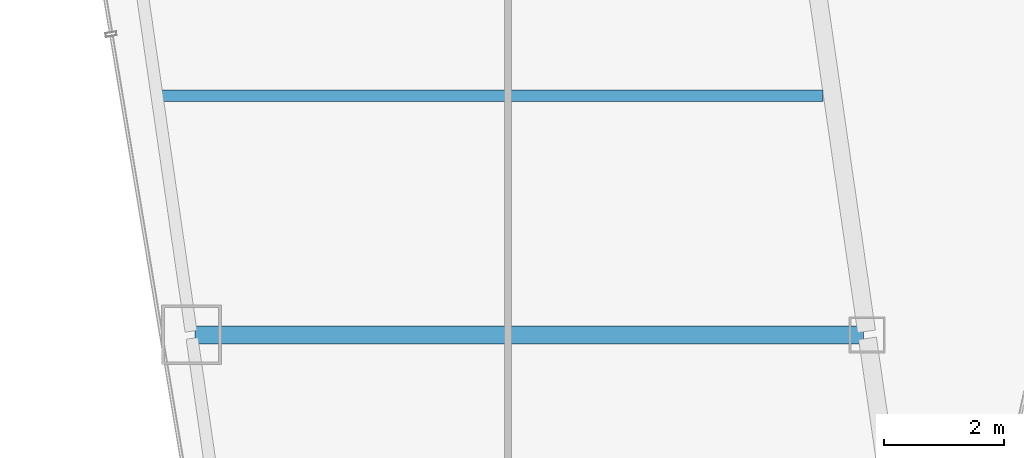
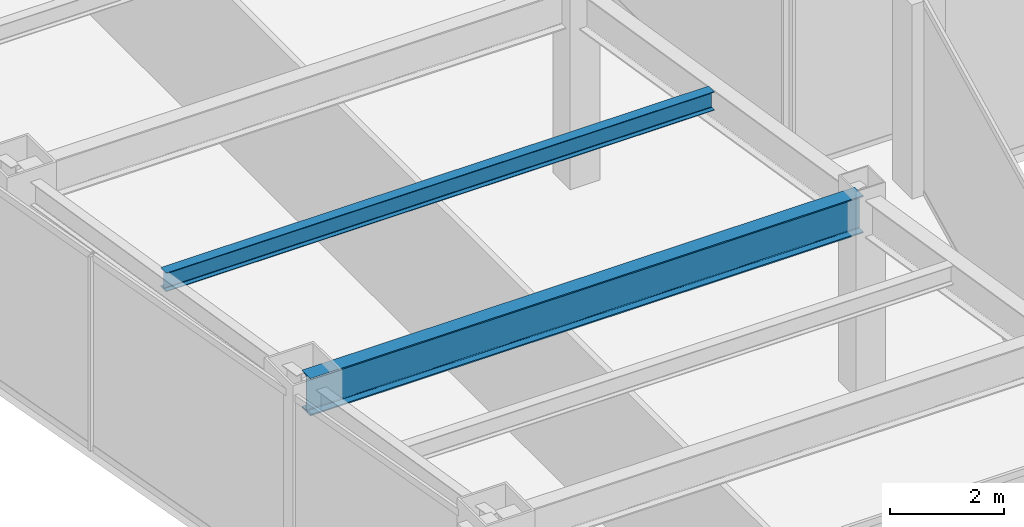
# One storey, part 4 of 37: 2 beams.
"""IFC4 building model written with IfcOpenShell, lengths in metres."""

import ifcopenshell
import ifcopenshell.guid

model = None  # the IFC model being written
_history = None  # IfcOwnerHistory: only IFC2X3 demands one
_inside = {}  # id of a spatial element -> (the spatial element, [elements in it])
_under = {}  # id of a project, library or spatial element -> (it, [spatial elements below it])
_declared = {}  # id of a project -> (the project, [libraries it declares])
_typed = {}  # id of a type object -> (the type object, [elements of that type])
_made_of = {}  # id of a material, layer set ... -> (it, [elements and type objects made of it])


def new_model(schema):
    """Start an empty IFC model of exactly this schema.

    Asked for "IFC4X3", IfcOpenShell would pick the latest addendum, in which some entities
    have other attributes; the version numbers below select the first issue.
    IFC2X3 requires an IfcOwnerHistory on every rooted entity: one is made here for all.
    """
    global model, _history
    if schema == "IFC4X3":
        model = ifcopenshell.file(schema_version=(4, 3, 0, 0))
    else:
        model = ifcopenshell.file(schema=schema)
    _inside.clear()
    _under.clear()
    _declared.clear()
    _typed.clear()
    _made_of.clear()
    _history = None
    if model.schema == "IFC2X3":
        org = make("IfcOrganization", Name="unknown")
        user = make(
            "IfcPersonAndOrganization",
            ThePerson=make("IfcPerson", FamilyName="unknown"),
            TheOrganization=org,
        )
        app = make(
            "IfcApplication",
            ApplicationDeveloper=org,
            Version="unknown",
            ApplicationFullName="unknown",
            ApplicationIdentifier="unknown",
        )
        _history = make(
            "IfcOwnerHistory",
            OwningUser=user,
            OwningApplication=app,
            ChangeAction="ADDED",
            CreationDate=0,
        )
    return model


def make(cls, **values):
    """One entity of the class cls with the attributes given. An attribute that is None is left unset."""
    return model.create_entity(
        cls, **{name: value for name, value in values.items() if value is not None}
    )


def rooted(cls, **values):
    """An entity with a GlobalId (a new one), such as an element, a storey or a relation."""
    return make(cls, GlobalId=ifcopenshell.guid.new(), OwnerHistory=_history, **values)


def si_unit(unit_type, name, prefix=None):
    """IfcSIUnit, for example si_unit("LENGTHUNIT", "METRE", prefix="MILLI")."""
    return make("IfcSIUnit", UnitType=unit_type, Prefix=prefix, Name=name)


def assignment(units):
    """IfcUnitAssignment: the units of a project."""
    return None if units is None else make("IfcUnitAssignment", Units=units)


def point(xyz):
    """IfcCartesianPoint."""
    return None if xyz is None else make("IfcCartesianPoint", Coordinates=xyz)


def direction(xyz):
    """IfcDirection."""
    return None if xyz is None else make("IfcDirection", DirectionRatios=xyz)


def frame(location, z_axis=None, x_axis=None):
    """IfcAxis2Placement3D, a coordinate frame: its origin and axes. An axis left out is left unset."""
    return make(
        "IfcAxis2Placement3D",
        Location=point(location),
        Axis=direction(z_axis),
        RefDirection=direction(x_axis),
    )


def frame_2d(location, x_axis=None):
    """IfcAxis2Placement2D, a coordinate frame in the plane: its origin and x axis."""
    return make(
        "IfcAxis2Placement2D", Location=point(location), RefDirection=direction(x_axis)
    )


def origin():
    """The frame at (0, 0, 0) with its axes left unset."""
    return frame((0.0, 0.0, 0.0))


def origin_2d():
    """The frame at (0, 0) in the plane with its x axis left unset."""
    return frame_2d((0.0, 0.0))


def place(relative_to, where):
    """IfcLocalPlacement: puts the frame where relative to a parent placement (None: the world)."""
    return make(
        "IfcLocalPlacement", PlacementRelTo=relative_to, RelativePlacement=where
    )


def context(
    kind, dimensions, precision=None, world=None, true_north=None, identifier=None
):
    """IfcGeometricRepresentationContext, for example the 3D "Model" context."""
    return make(
        "IfcGeometricRepresentationContext",
        ContextIdentifier=identifier,
        ContextType=kind,
        CoordinateSpaceDimension=dimensions,
        Precision=precision,
        WorldCoordinateSystem=world,
        TrueNorth=true_north,
    )


def subcontext(parent, identifier, kind, view, scale=None):
    """IfcGeometricRepresentationSubContext, for example "Body" below "Model"."""
    return make(
        "IfcGeometricRepresentationSubContext",
        ContextIdentifier=identifier,
        ContextType=kind,
        ParentContext=parent,
        TargetScale=scale,
        TargetView=view,
    )


def project(units=None, contexts=None):
    """IfcProject with its units and contexts."""
    return rooted(
        "IfcProject",
        Name="project",
        RepresentationContexts=contexts,
        UnitsInContext=assignment(units),
    )


def spatial(cls, under=None, at=None, **own):
    """A site, building, storey or space (cls), placed at a placement, below another one or the project."""
    s = rooted(cls, ObjectPlacement=at, **own)
    if under is not None:
        _under.setdefault(under.id(), (under, []))[1].append(s)
    return s


def profile(cls, at=None, kind="AREA", **sizes):
    """A parametric profile (cls). Its sizes go by their IFC names, for example OverallWidth=200.0."""
    return make(cls, ProfileType=kind, Position=at, **sizes)


def i_section(**sizes):
    """IfcIShapeProfileDef."""
    return profile("IfcIShapeProfileDef", **sizes)


def extrude(swept, where, along, depth):
    """IfcExtrudedAreaSolid: the profile swept, set in the frame where, extruded along a direction by depth."""
    return make(
        "IfcExtrudedAreaSolid",
        SweptArea=swept,
        Position=where,
        ExtrudedDirection=direction(along),
        Depth=depth,
    )


def shape(context_of_items, identifier, shape_type, items):
    """IfcShapeRepresentation: the items that make up one representation, for example the "Body"."""
    return make(
        "IfcShapeRepresentation",
        ContextOfItems=context_of_items,
        RepresentationIdentifier=identifier,
        RepresentationType=shape_type,
        Items=items,
    )


def material(Name=None, Category=None):
    """IfcMaterial."""
    return make("IfcMaterial", Name=Name, Category=Category)


def material_profile(
    of_material, cross_section, Name=None, Category=None, Priority=None
):
    """IfcMaterialProfile: a cross section and its material."""
    return make(
        "IfcMaterialProfile",
        Name=Name,
        Material=of_material,
        Profile=cross_section,
        Priority=Priority,
        Category=Category,
    )


def profile_set(profiles, Name=None, composite=None):
    """IfcMaterialProfileSet."""
    return make(
        "IfcMaterialProfileSet",
        Name=Name,
        MaterialProfiles=profiles,
        CompositeProfile=composite,
    )


def made_of(thing, what):
    """Note that an element or type object is made of a material, layer set ...; save() writes the relation."""
    if what is not None:
        _made_of.setdefault(what.id(), (what, []))[1].append(thing)
    return thing


def type_object(cls, material=None, **own):
    """A type object (cls), such as IfcWallType, which elements share."""
    return made_of(rooted(cls, **own), material)


def element(
    cls,
    number,
    at=None,
    inside=None,
    cuts=None,
    type_object=None,
    material=None,
    context=None,
    identifier="Body",
    shape_type=None,
    held_by="IfcProductDefinitionShape",
    body=None,
    shapes=None,
    **own,
):
    """One element of the class cls, such as IfcWall. Its Tag is "e" and its number.

    at: its placement. inside: the storey or other place that contains it. cuts: it is an
    opening in that element (IfcRelVoidsElement). A single representation is given by context,
    identifier, shape_type and body (its items); several are given by shapes. held_by: the class
    of the entity that holds the representations. save() writes the other relations.
    """
    e = rooted(cls, Tag="e%d" % number, ObjectPlacement=at, **own)
    if body is not None:
        shapes = [shape(context, identifier, shape_type, body)]
    if shapes is not None:
        e.Representation = make(held_by, Representations=shapes)
    if inside is not None:
        _inside.setdefault(inside.id(), (inside, []))[1].append(e)
    if cuts is not None:
        rooted(
            "IfcRelVoidsElement", RelatingBuildingElement=cuts, RelatedOpeningElement=e
        )
    if type_object is not None:
        _typed.setdefault(type_object.id(), (type_object, []))[1].append(e)
    return made_of(e, material)


def aggregate(whole, parts):
    """IfcRelAggregates: a whole, such as a stair, and the parts it consists of."""
    return rooted("IfcRelAggregates", RelatingObject=whole, RelatedObjects=parts)


def save(model, path):
    """Write the relations noted so far, then the file.

    IfcRelAggregates (storeys below a building ...), IfcRelContainedInSpatialStructure (elements
    in a storey), IfcRelDefinesByType, IfcRelAssociatesMaterial and IfcRelDeclares: one each for
    every whole, place, type object, material and project.
    """
    for whole, parts in _under.values():
        aggregate(whole, parts)
    for where, things in _inside.values():
        rooted(
            "IfcRelContainedInSpatialStructure",
            RelatedElements=things,
            RelatingStructure=where,
        )
    for kind, things in _typed.values():
        rooted("IfcRelDefinesByType", RelatedObjects=things, RelatingType=kind)
    for what, things in _made_of.values():
        rooted("IfcRelAssociatesMaterial", RelatedObjects=things, RelatingMaterial=what)
    for by, libraries in _declared.values():
        rooted("IfcRelDeclares", RelatingContext=by, RelatedDefinitions=libraries)
    model.write(path)


model = new_model("IFC4")

# Units and contexts
model_context = context("Model", 3, precision=1e-05, world=origin(), true_north=direction((0.0, 1.0)))
body_context = subcontext(model_context, "Body", "Model", "MODEL_VIEW")
ifc_project = project(units=[si_unit("LENGTHUNIT", "METRE"), si_unit("AREAUNIT", "SQUARE_METRE"), si_unit("VOLUMEUNIT", "CUBIC_METRE"), si_unit("PLANEANGLEUNIT", "RADIAN"), si_unit("MASSUNIT", "GRAM", prefix="KILO")], contexts=[model_context])

# Site, building, storey
site_placement = place(None, origin())
site = spatial("IfcSite", under=ifc_project, at=site_placement, CompositionType="ELEMENT")
building_placement = place(site_placement, origin())
building = spatial("IfcBuilding", under=site, at=building_placement, Name="Saevonmaru Cultural Tower", CompositionType="ELEMENT")
storey_placement = place(building_placement, frame((0.0, 0.0, 106.0)))
storey = spatial("IfcBuildingStorey", under=building, at=storey_placement, Name="L22", CompositionType="ELEMENT", Elevation=106.0)

# Beams
ifc_material_1 = material(Name="Steel SM420", Category="steel")
ifc_material_profile_1 = material_profile(ifc_material_1, i_section(OverallWidth=0.300048828125, OverallDepth=0.800048828125, WebThickness=0.013916015625, FlangeThickness=0.02587890625, FilletRadius=0.028076171875, at=origin_2d()), Name="H-800x300x14x26")
ifc_profile_set_1 = profile_set([ifc_material_profile_1], Name="Steel SM420")
beam_type_1 = type_object("IfcBeamType", Name="BM-G-H800", PredefinedType="BEAM", material=ifc_profile_set_1)
beam_1_placement = place(storey_placement, frame((10.68798828125, 16.0, 3.75), z_axis=(1.0, 0.0, 0.0), x_axis=(0.0, 1.0, 0.0)))
element("IfcBeam", 1, at=beam_1_placement, inside=storey, type_object=beam_type_1, Name="L22 West Wing Transverse Girder 2", PredefinedType="BEAM", context=body_context, shape_type="SweptSolid", body=[
    extrude(i_section(OverallWidth=0.300048828125, OverallDepth=0.800048828125, WebThickness=0.013916015625, FlangeThickness=0.02587890625, FilletRadius=0.028076171875, at=origin_2d()), origin(), (0.0, 0.0, 1.0), 11.179931640625),
])
ifc_material_2 = material(Name="Steel SM355", Category="steel")
ifc_material_profile_2 = material_profile(ifc_material_2, i_section(OverallWidth=0.199951171875, OverallDepth=0.39990234375, WebThickness=0.008056640625, FlangeThickness=0.012939453125, FilletRadius=0.01611328125, at=origin_2d()), Name="H-400x200x8x13")
ifc_profile_set_2 = profile_set([ifc_material_profile_2], Name="Steel SM355")
beam_type_2 = type_object("IfcBeamType", Name="BM-J-H400", PredefinedType="JOIST", material=ifc_profile_set_2)
beam_2_placement = place(storey_placement, frame((10.110107421875, 20.0, 3.949951171875), z_axis=(1.0, 0.0, 0.0), x_axis=(0.0, 1.0, 0.0)))
element("IfcBeam", 2, at=beam_2_placement, inside=storey, type_object=beam_type_2, Name="L22 West Wing Floor Joist 2", PredefinedType="JOIST", context=body_context, shape_type="SweptSolid", body=[
    extrude(i_section(OverallWidth=0.199951171875, OverallDepth=0.39990234375, WebThickness=0.008056640625, FlangeThickness=0.012939453125, FilletRadius=0.01611328125, at=origin_2d()), origin(), (0.0, 0.0, 1.0), 11.081787109375),
])

save(model, "model.ifc")
